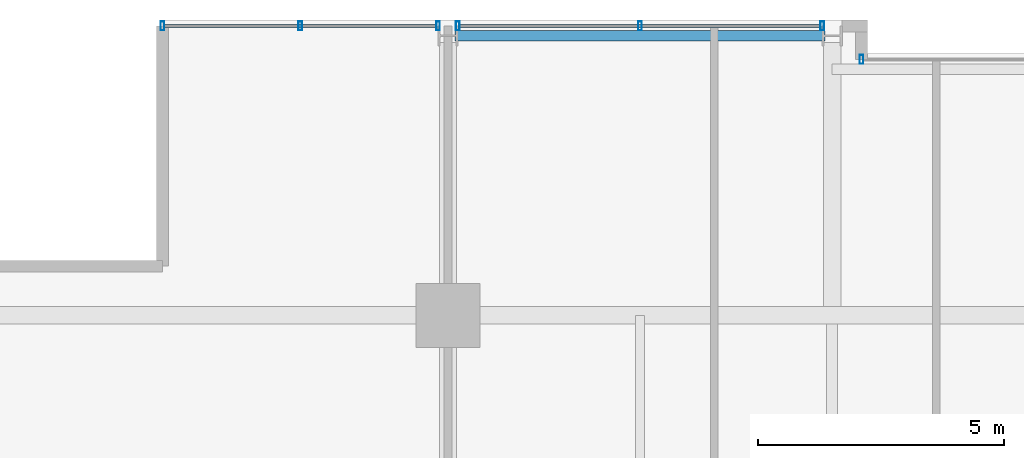
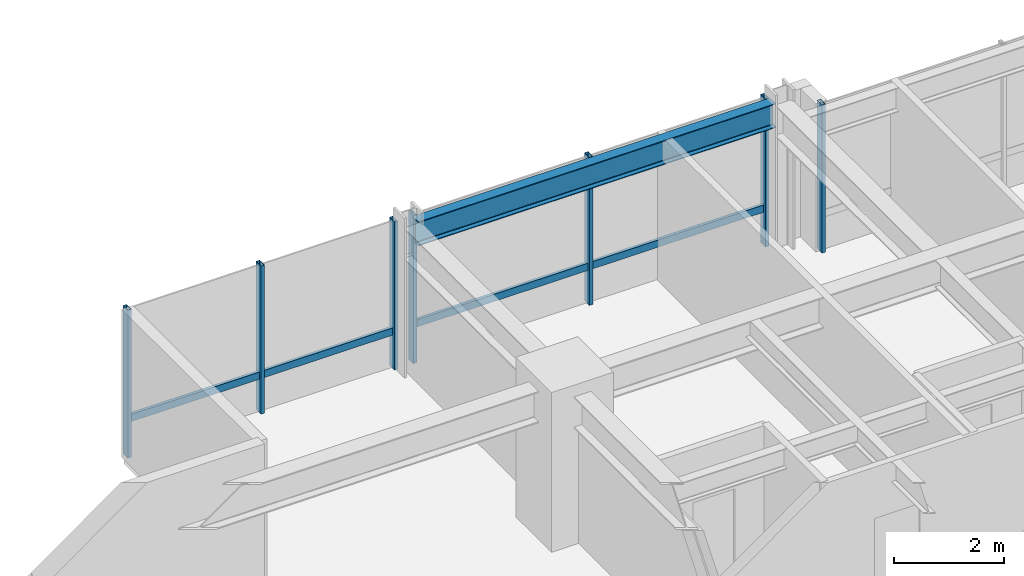
# One storey, part 20 of 32: 9 members, 1 beam, 3 elements without a shape of their own.
"""IFC4 building model written with IfcOpenShell, lengths in metres."""

from ifc_helpers import new_model, si_unit, direction, frame, origin, origin_2d, place, context, subcontext, project, spatial, hollow_rectangle, i_section, extrude, material, layer, layer_set, material_profile, profile_set, type_object, element, aggregate, save


model = new_model("IFC4")

# Units and contexts
model_context = context("Model", 3, precision=1e-05, world=origin(), true_north=direction((0.0, 1.0)))
body_context = subcontext(model_context, "Body", "Model", "MODEL_VIEW")
ifc_project = project(units=[si_unit("LENGTHUNIT", "METRE"), si_unit("AREAUNIT", "SQUARE_METRE"), si_unit("VOLUMEUNIT", "CUBIC_METRE"), si_unit("PLANEANGLEUNIT", "RADIAN"), si_unit("MASSUNIT", "GRAM", prefix="KILO")], contexts=[model_context])

# Site, building, storey
site_placement = place(None, origin())
site = spatial("IfcSite", under=ifc_project, at=site_placement, CompositionType="ELEMENT")
building_placement = place(site_placement, origin())
building = spatial("IfcBuilding", under=site, at=building_placement, Name="Drelvath Grand Hotel", CompositionType="ELEMENT")
storey_placement = place(building_placement, frame((0.0, 0.0, 157.5)))
storey = spatial("IfcBuildingStorey", under=building, at=storey_placement, Name="L40", CompositionType="ELEMENT", Elevation=157.5)

# Curtain wall, member
ifc_material_1 = material(Name="Brushed Pale-Silver Anodised Aluminium Frame", Category="aluminium")
ifc_layer = layer(ifc_material_1, 0.199951171875)
ifc_layer_set = layer_set([ifc_layer], Name="Brushed Pale-Silver Anodised Aluminium Frame")
curtain_wall_type = type_object("IfcCurtainWallType", Name="Stick Curtain Wall CW-04 Brushed Silver Upper-Mid", PredefinedType="NOTDEFINED", material=ifc_layer_set)
curtain_wall_1_placement = place(storey_placement, origin())
curtain_wall_1 = element("IfcCurtainWall", 1, at=curtain_wall_1_placement, inside=storey, type_object=curtain_wall_type, Name="L40 CW-04 Curtain Wall CW04-L40-NW1", PredefinedType="NOTDEFINED")
ifc_material_profile_1 = material_profile(ifc_material_1, hollow_rectangle(XDim=0.06494140625, YDim=0.159912109375, WallThickness=0.00390625, at=origin_2d()), Name="HSS160X65X4")
ifc_profile_set_1 = profile_set([ifc_material_profile_1], Name="Brushed Pale-Silver Anodised Aluminium Frame")
member_type_1 = type_object("IfcMemberType", Name="Curtain Wall Horizontal Transom CW-04 HSS160X65X4", PredefinedType="USERDEFINED", material=ifc_profile_set_1)
member_1_placement = place(storey_placement, frame((-21.9599609375, 49.080078125, 0.822509765625), z_axis=(1.0, 0.0, 0.0), x_axis=(0.0, 1.0, 0.0)))
member_1 = element("IfcMember", 2, at=member_1_placement, type_object=member_type_1, Name="CW04-L40-NW1 Sill Transom", ObjectType="TRANSOM", PredefinedType="USERDEFINED", context=body_context, shape_type="SweptSolid", body=[
    extrude(hollow_rectangle(XDim=0.06494140625, YDim=0.159912109375, WallThickness=0.00390625, at=origin_2d()), origin(), (0.0, 0.0, 1.0), 5.519775390625),
])

curtain_wall_2_placement = place(storey_placement, origin())
curtain_wall_2 = element("IfcCurtainWall", 3, at=curtain_wall_2_placement, inside=storey, type_object=curtain_wall_type, Name="L40 CW-04 Curtain Wall CW04-L40-NW2", PredefinedType="NOTDEFINED")
member_2_placement = place(storey_placement, frame((-15.9599609375, 49.080078125, 0.822509765625), z_axis=(1.0, 0.0, 0.0), x_axis=(0.0, 1.0, 0.0)))
member_2 = element("IfcMember", 4, at=member_2_placement, type_object=member_type_1, Name="CW04-L40-NW2 Sill Transom", ObjectType="TRANSOM", PredefinedType="USERDEFINED", context=body_context, shape_type="SweptSolid", body=[
    extrude(hollow_rectangle(XDim=0.06494140625, YDim=0.159912109375, WallThickness=0.00390625, at=origin_2d()), origin(), (0.0, 0.0, 1.0), 7.31982421875),
])

# Member
ifc_material_profile_2 = material_profile(ifc_material_1, hollow_rectangle(XDim=0.074951171875, YDim=0.179931640625, WallThickness=0.0048828125, at=origin_2d()), Name="HSS180X75X5")
ifc_profile_set_2 = profile_set([ifc_material_profile_2], Name="Brushed Pale-Silver Anodised Aluminium Frame")
member_type_2 = type_object("IfcMemberType", Name="Curtain Wall Vertical Mullion CW-04 HSS180X75X5", PredefinedType="MULLION", material=ifc_profile_set_2)
member_3_placement = place(storey_placement, frame((-22.0, 49.080078125, 0.0), z_axis=(0.0, 0.0, 1.0), x_axis=(1.0, 0.0, 0.0)))
member_3 = element("IfcMember", 5, at=member_3_placement, type_object=member_type_2, Name="CW04-L40-NW1 Mullion 1", PredefinedType="MULLION", context=body_context, shape_type="SweptSolid", body=[
    extrude(hollow_rectangle(XDim=0.074951171875, YDim=0.179931640625, WallThickness=0.0048828125, at=origin_2d()), origin(), (0.0, 0.0, 1.0), 3.2900390625),
])

member_4_placement = place(storey_placement, frame((-19.199951171875, 49.080078125, 0.0), z_axis=(0.0, 0.0, 1.0), x_axis=(1.0, 0.0, 0.0)))
member_4 = element("IfcMember", 6, at=member_4_placement, type_object=member_type_2, Name="CW04-L40-NW1 Mullion 2", PredefinedType="MULLION", context=body_context, shape_type="SweptSolid", body=[
    extrude(hollow_rectangle(XDim=0.074951171875, YDim=0.179931640625, WallThickness=0.0048828125, at=origin_2d()), origin(), (0.0, 0.0, 1.0), 3.2900390625),
])

member_5_placement = place(storey_placement, frame((-16.400146484375, 49.080078125, 0.0), z_axis=(0.0, 0.0, 1.0), x_axis=(1.0, 0.0, 0.0)))
member_5 = element("IfcMember", 7, at=member_5_placement, type_object=member_type_2, Name="CW04-L40-NW1 Mullion 3", PredefinedType="MULLION", context=body_context, shape_type="SweptSolid", body=[
    extrude(hollow_rectangle(XDim=0.074951171875, YDim=0.179931640625, WallThickness=0.0048828125, at=origin_2d()), origin(), (0.0, 0.0, 1.0), 3.2900390625),
])

aggregate(curtain_wall_1, [member_3, member_4, member_5, member_1])

member_6_placement = place(storey_placement, frame((-16.0, 49.080078125, 0.0), z_axis=(0.0, 0.0, 1.0), x_axis=(1.0, 0.0, 0.0)))
member_6 = element("IfcMember", 8, at=member_6_placement, type_object=member_type_2, Name="CW04-L40-NW2 Mullion 1", PredefinedType="MULLION", context=body_context, shape_type="SweptSolid", body=[
    extrude(hollow_rectangle(XDim=0.074951171875, YDim=0.179931640625, WallThickness=0.0048828125, at=origin_2d()), origin(), (0.0, 0.0, 1.0), 3.2900390625),
])

member_7_placement = place(storey_placement, frame((-12.300048828125, 49.080078125, 0.0), z_axis=(0.0, 0.0, 1.0), x_axis=(1.0, 0.0, 0.0)))
member_7 = element("IfcMember", 9, at=member_7_placement, type_object=member_type_2, Name="CW04-L40-NW2 Mullion 2", PredefinedType="MULLION", context=body_context, shape_type="SweptSolid", body=[
    extrude(hollow_rectangle(XDim=0.074951171875, YDim=0.179931640625, WallThickness=0.0048828125, at=origin_2d()), origin(), (0.0, 0.0, 1.0), 3.2900390625),
])

member_8_placement = place(storey_placement, frame((-8.60009765625, 49.080078125, 0.0), z_axis=(0.0, 0.0, 1.0), x_axis=(1.0, 0.0, 0.0)))
member_8 = element("IfcMember", 10, at=member_8_placement, type_object=member_type_2, Name="CW04-L40-NW2 Mullion 3", PredefinedType="MULLION", context=body_context, shape_type="SweptSolid", body=[
    extrude(hollow_rectangle(XDim=0.074951171875, YDim=0.179931640625, WallThickness=0.0048828125, at=origin_2d()), origin(), (0.0, 0.0, 1.0), 3.2900390625),
])

aggregate(curtain_wall_2, [member_6, member_7, member_8, member_2])

# Curtain wall, member
curtain_wall_3_placement = place(storey_placement, origin())
curtain_wall_3 = element("IfcCurtainWall", 11, at=curtain_wall_3_placement, inside=storey, type_object=curtain_wall_type, Name="L40 CW-04 Curtain Wall CW04-L40-NM1", PredefinedType="NOTDEFINED")
member_9_placement = place(storey_placement, frame((-7.800048828125, 48.39990234375, 0.0), z_axis=(0.0, 0.0, 1.0), x_axis=(1.0, 0.0, 0.0)))
member_9 = element("IfcMember", 12, at=member_9_placement, type_object=member_type_2, Name="CW04-L40-NM1 Mullion 1", PredefinedType="MULLION", context=body_context, shape_type="SweptSolid", body=[
    extrude(hollow_rectangle(XDim=0.074951171875, YDim=0.179931640625, WallThickness=0.0048828125, at=origin_2d()), origin(), (0.0, 0.0, 1.0), 3.2900390625),
])
aggregate(curtain_wall_3, [member_9])

# Beam
ifc_material_2 = material(Name="Steel ASTM A992 Gr 50", Category="steel")
ifc_material_profile_3 = material_profile(ifc_material_2, i_section(OverallWidth=0.210205078125, OverallDepth=0.53662109375, WebThickness=0.010986328125, FlangeThickness=0.017333984375, FilletRadius=0.01806640625, at=origin_2d()), Name="W21X68")
ifc_profile_set_3 = profile_set([ifc_material_profile_3], Name="Steel ASTM A992 Gr 50")
beam_type = type_object("IfcBeamType", Name="Perimeter Spandrel Beam W21X68", PredefinedType="SPANDREL", material=ifc_profile_set_3)
beam_placement = place(storey_placement, frame((-16.06005859375, 48.8798828125, 3.021484375), z_axis=(1.0, 0.0, 0.0), x_axis=(0.0, 1.0, 0.0)))
element("IfcBeam", 13, at=beam_placement, inside=storey, type_object=beam_type, Name="L40 Spandrel North W", PredefinedType="SPANDREL", context=body_context, shape_type="SweptSolid", body=[
    extrude(i_section(OverallWidth=0.210205078125, OverallDepth=0.53662109375, WebThickness=0.010986328125, FlangeThickness=0.017333984375, FilletRadius=0.01806640625, at=origin_2d()), origin(), (0.0, 0.0, 1.0), 7.52001953125),
])

save(model, "model.ifc")
